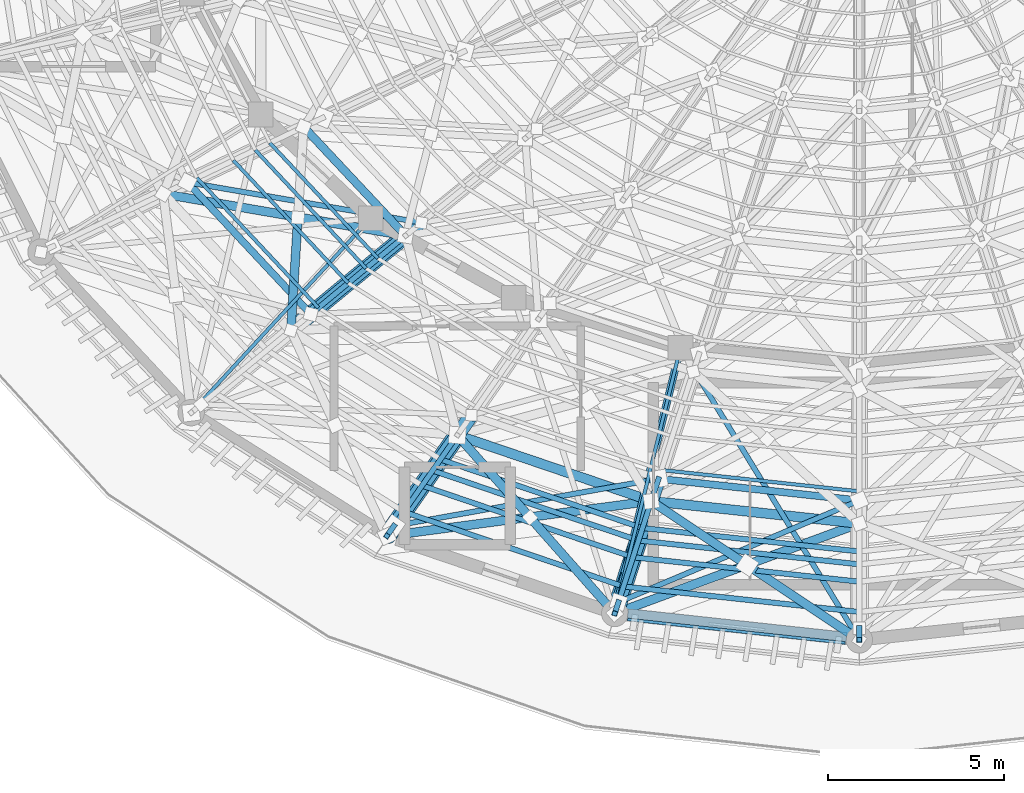
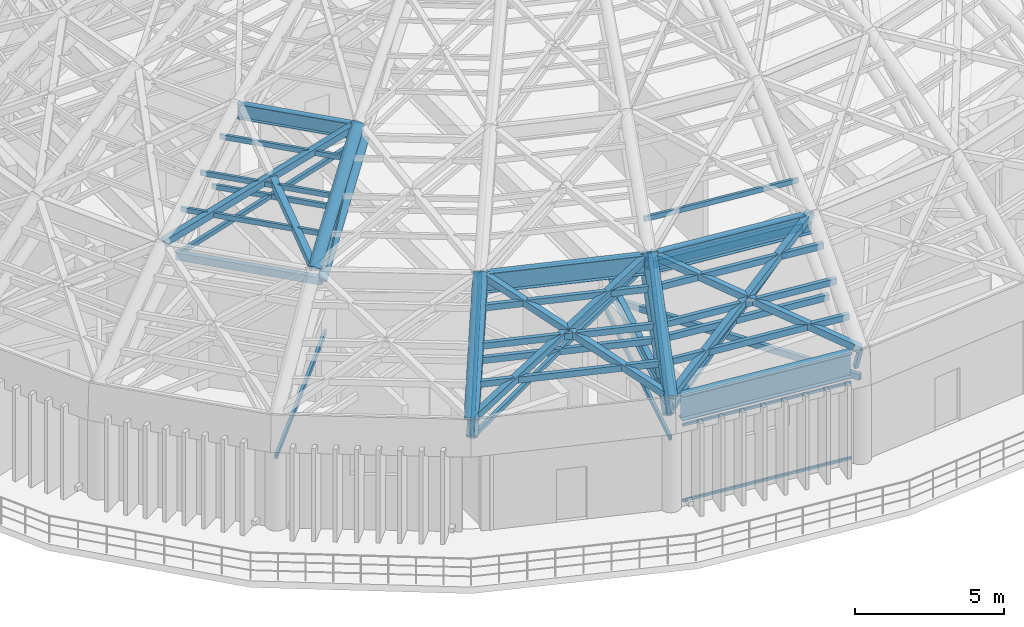
# One storey, part 2 of 50: 44 members, 5 beams.
"""IFC4 building model written with IfcOpenShell, lengths in metres."""

import ifcopenshell
import ifcopenshell.guid

model = None  # the IFC model being written
_history = None  # IfcOwnerHistory: only IFC2X3 demands one
_inside = {}  # id of a spatial element -> (the spatial element, [elements in it])
_under = {}  # id of a project, library or spatial element -> (it, [spatial elements below it])
_declared = {}  # id of a project -> (the project, [libraries it declares])
_typed = {}  # id of a type object -> (the type object, [elements of that type])
_made_of = {}  # id of a material, layer set ... -> (it, [elements and type objects made of it])


def new_model(schema):
    """Start an empty IFC model of exactly this schema.

    Asked for "IFC4X3", IfcOpenShell would pick the latest addendum, in which some entities
    have other attributes; the version numbers below select the first issue.
    IFC2X3 requires an IfcOwnerHistory on every rooted entity: one is made here for all.
    """
    global model, _history
    if schema == "IFC4X3":
        model = ifcopenshell.file(schema_version=(4, 3, 0, 0))
    else:
        model = ifcopenshell.file(schema=schema)
    _inside.clear()
    _under.clear()
    _declared.clear()
    _typed.clear()
    _made_of.clear()
    _history = None
    if model.schema == "IFC2X3":
        org = make("IfcOrganization", Name="unknown")
        user = make(
            "IfcPersonAndOrganization",
            ThePerson=make("IfcPerson", FamilyName="unknown"),
            TheOrganization=org,
        )
        app = make(
            "IfcApplication",
            ApplicationDeveloper=org,
            Version="unknown",
            ApplicationFullName="unknown",
            ApplicationIdentifier="unknown",
        )
        _history = make(
            "IfcOwnerHistory",
            OwningUser=user,
            OwningApplication=app,
            ChangeAction="ADDED",
            CreationDate=0,
        )
    return model


def make(cls, **values):
    """One entity of the class cls with the attributes given. An attribute that is None is left unset."""
    return model.create_entity(
        cls, **{name: value for name, value in values.items() if value is not None}
    )


def rooted(cls, **values):
    """An entity with a GlobalId (a new one), such as an element, a storey or a relation."""
    return make(cls, GlobalId=ifcopenshell.guid.new(), OwnerHistory=_history, **values)


def si_unit(unit_type, name, prefix=None):
    """IfcSIUnit, for example si_unit("LENGTHUNIT", "METRE", prefix="MILLI")."""
    return make("IfcSIUnit", UnitType=unit_type, Prefix=prefix, Name=name)


def assignment(units):
    """IfcUnitAssignment: the units of a project."""
    return None if units is None else make("IfcUnitAssignment", Units=units)


def point(xyz):
    """IfcCartesianPoint."""
    return None if xyz is None else make("IfcCartesianPoint", Coordinates=xyz)


def direction(xyz):
    """IfcDirection."""
    return None if xyz is None else make("IfcDirection", DirectionRatios=xyz)


def frame(location, z_axis=None, x_axis=None):
    """IfcAxis2Placement3D, a coordinate frame: its origin and axes. An axis left out is left unset."""
    return make(
        "IfcAxis2Placement3D",
        Location=point(location),
        Axis=direction(z_axis),
        RefDirection=direction(x_axis),
    )


def frame_2d(location, x_axis=None):
    """IfcAxis2Placement2D, a coordinate frame in the plane: its origin and x axis."""
    return make(
        "IfcAxis2Placement2D", Location=point(location), RefDirection=direction(x_axis)
    )


def origin():
    """The frame at (0, 0, 0) with its axes left unset."""
    return frame((0.0, 0.0, 0.0))


def origin_2d():
    """The frame at (0, 0) in the plane with its x axis left unset."""
    return frame_2d((0.0, 0.0))


def place(relative_to, where):
    """IfcLocalPlacement: puts the frame where relative to a parent placement (None: the world)."""
    return make(
        "IfcLocalPlacement", PlacementRelTo=relative_to, RelativePlacement=where
    )


def context(
    kind, dimensions, precision=None, world=None, true_north=None, identifier=None
):
    """IfcGeometricRepresentationContext, for example the 3D "Model" context."""
    return make(
        "IfcGeometricRepresentationContext",
        ContextIdentifier=identifier,
        ContextType=kind,
        CoordinateSpaceDimension=dimensions,
        Precision=precision,
        WorldCoordinateSystem=world,
        TrueNorth=true_north,
    )


def subcontext(parent, identifier, kind, view, scale=None):
    """IfcGeometricRepresentationSubContext, for example "Body" below "Model"."""
    return make(
        "IfcGeometricRepresentationSubContext",
        ContextIdentifier=identifier,
        ContextType=kind,
        ParentContext=parent,
        TargetScale=scale,
        TargetView=view,
    )


def project(units=None, contexts=None):
    """IfcProject with its units and contexts."""
    return rooted(
        "IfcProject",
        Name="project",
        RepresentationContexts=contexts,
        UnitsInContext=assignment(units),
    )


def spatial(cls, under=None, at=None, **own):
    """A site, building, storey or space (cls), placed at a placement, below another one or the project."""
    s = rooted(cls, ObjectPlacement=at, **own)
    if under is not None:
        _under.setdefault(under.id(), (under, []))[1].append(s)
    return s


def profile(cls, at=None, kind="AREA", **sizes):
    """A parametric profile (cls). Its sizes go by their IFC names, for example OverallWidth=200.0."""
    return make(cls, ProfileType=kind, Position=at, **sizes)


def rectangle(**sizes):
    """IfcRectangleProfileDef."""
    return profile("IfcRectangleProfileDef", **sizes)


def hollow_rectangle(**sizes):
    """IfcRectangleHollowProfileDef."""
    return profile("IfcRectangleHollowProfileDef", **sizes)


def hollow_circle(**sizes):
    """IfcCircleHollowProfileDef."""
    return profile("IfcCircleHollowProfileDef", **sizes)


def i_section(**sizes):
    """IfcIShapeProfileDef."""
    return profile("IfcIShapeProfileDef", **sizes)


def extrude(swept, where, along, depth):
    """IfcExtrudedAreaSolid: the profile swept, set in the frame where, extruded along a direction by depth."""
    return make(
        "IfcExtrudedAreaSolid",
        SweptArea=swept,
        Position=where,
        ExtrudedDirection=direction(along),
        Depth=depth,
    )


def shape(context_of_items, identifier, shape_type, items):
    """IfcShapeRepresentation: the items that make up one representation, for example the "Body"."""
    return make(
        "IfcShapeRepresentation",
        ContextOfItems=context_of_items,
        RepresentationIdentifier=identifier,
        RepresentationType=shape_type,
        Items=items,
    )


def material(Name=None, Category=None):
    """IfcMaterial."""
    return make("IfcMaterial", Name=Name, Category=Category)


def material_profile(
    of_material, cross_section, Name=None, Category=None, Priority=None
):
    """IfcMaterialProfile: a cross section and its material."""
    return make(
        "IfcMaterialProfile",
        Name=Name,
        Material=of_material,
        Profile=cross_section,
        Priority=Priority,
        Category=Category,
    )


def profile_set(profiles, Name=None, composite=None):
    """IfcMaterialProfileSet."""
    return make(
        "IfcMaterialProfileSet",
        Name=Name,
        MaterialProfiles=profiles,
        CompositeProfile=composite,
    )


def made_of(thing, what):
    """Note that an element or type object is made of a material, layer set ...; save() writes the relation."""
    if what is not None:
        _made_of.setdefault(what.id(), (what, []))[1].append(thing)
    return thing


def type_object(cls, material=None, **own):
    """A type object (cls), such as IfcWallType, which elements share."""
    return made_of(rooted(cls, **own), material)


def element(
    cls,
    number,
    at=None,
    inside=None,
    cuts=None,
    type_object=None,
    material=None,
    context=None,
    identifier="Body",
    shape_type=None,
    held_by="IfcProductDefinitionShape",
    body=None,
    shapes=None,
    **own,
):
    """One element of the class cls, such as IfcWall. Its Tag is "e" and its number.

    at: its placement. inside: the storey or other place that contains it. cuts: it is an
    opening in that element (IfcRelVoidsElement). A single representation is given by context,
    identifier, shape_type and body (its items); several are given by shapes. held_by: the class
    of the entity that holds the representations. save() writes the other relations.
    """
    e = rooted(cls, Tag="e%d" % number, ObjectPlacement=at, **own)
    if body is not None:
        shapes = [shape(context, identifier, shape_type, body)]
    if shapes is not None:
        e.Representation = make(held_by, Representations=shapes)
    if inside is not None:
        _inside.setdefault(inside.id(), (inside, []))[1].append(e)
    if cuts is not None:
        rooted(
            "IfcRelVoidsElement", RelatingBuildingElement=cuts, RelatedOpeningElement=e
        )
    if type_object is not None:
        _typed.setdefault(type_object.id(), (type_object, []))[1].append(e)
    return made_of(e, material)


def aggregate(whole, parts):
    """IfcRelAggregates: a whole, such as a stair, and the parts it consists of."""
    return rooted("IfcRelAggregates", RelatingObject=whole, RelatedObjects=parts)


def save(model, path):
    """Write the relations noted so far, then the file.

    IfcRelAggregates (storeys below a building ...), IfcRelContainedInSpatialStructure (elements
    in a storey), IfcRelDefinesByType, IfcRelAssociatesMaterial and IfcRelDeclares: one each for
    every whole, place, type object, material and project.
    """
    for whole, parts in _under.values():
        aggregate(whole, parts)
    for where, things in _inside.values():
        rooted(
            "IfcRelContainedInSpatialStructure",
            RelatedElements=things,
            RelatingStructure=where,
        )
    for kind, things in _typed.values():
        rooted("IfcRelDefinesByType", RelatedObjects=things, RelatingType=kind)
    for what, things in _made_of.values():
        rooted("IfcRelAssociatesMaterial", RelatedObjects=things, RelatingMaterial=what)
    for by, libraries in _declared.values():
        rooted("IfcRelDeclares", RelatingContext=by, RelatedDefinitions=libraries)
    model.write(path)


model = new_model("IFC4")

# Units and contexts
model_context = context("Model", 3, precision=1e-05, world=origin(), true_north=direction((0.0, 1.0)))
body_context = subcontext(model_context, "Body", "Model", "MODEL_VIEW")
ifc_project = project(units=[si_unit("LENGTHUNIT", "METRE"), si_unit("AREAUNIT", "SQUARE_METRE"), si_unit("VOLUMEUNIT", "CUBIC_METRE"), si_unit("PLANEANGLEUNIT", "RADIAN"), si_unit("MASSUNIT", "GRAM", prefix="KILO")], contexts=[model_context])

# Site, building, storey
site_placement = place(None, origin())
site = spatial("IfcSite", under=ifc_project, at=site_placement, CompositionType="ELEMENT")
building_placement = place(site_placement, origin())
building = spatial("IfcBuilding", under=site, at=building_placement, Name="Cinderbank Siding Concert Hall", CompositionType="ELEMENT")
storey_placement = place(building_placement, frame((0.0, 0.0, 23.699951171875)))
storey = spatial("IfcBuildingStorey", under=building, at=storey_placement, Name="L06", CompositionType="ELEMENT", Elevation=23.699951171875)

# Beams
ifc_material_1 = material(Name="Structural steel AS/NZS 3679.1 Grade 350 (340 MPa)", Category="steel")
ifc_material_profile_1 = material_profile(ifc_material_1, i_section(OverallWidth=0.208984375, OverallDepth=0.532958984375, WebThickness=0.01025390625, FlangeThickness=0.015625, at=origin_2d()), Name="530UB92.4", Category="LoadBearing")
ifc_profile_set_1 = profile_set([ifc_material_profile_1], Name="Structural steel AS/NZS 3679.1 Grade 350 (340 MPa)")
beam_type_1 = type_object("IfcBeamType", Name="BM-UB530H 530UB92.4", PredefinedType="BEAM", material=ifc_profile_set_1)
beam_1_placement = place(storey_placement, frame((116.844970703125, 29.951904296875, 4.235595703125), z_axis=(-0.240115631411, -0.970744293598, 0.0), x_axis=(0.970744293598, -0.240115631411, 0.0)))
element("IfcBeam", 1, at=beam_1_placement, inside=storey, type_object=beam_type_1, Name="L06 Beam BM-UB530H #849", PredefinedType="BEAM", context=body_context, shape_type="SweptSolid", body=[
    extrude(i_section(OverallWidth=0.208984375, OverallDepth=0.532958984375, WebThickness=0.01025390625, FlangeThickness=0.015625, at=origin_2d()), origin(), (0.0, 0.0, 1.0), 7.05224609375),
])
ifc_material_profile_2 = material_profile(ifc_material_1, i_section(OverallWidth=0.22900390625, OverallDepth=0.611572265625, WebThickness=0.011962890625, FlangeThickness=0.01953125, at=origin_2d()), Name="610UB125", Category="LoadBearing")
ifc_profile_set_2 = profile_set([ifc_material_profile_2], Name="Structural steel AS/NZS 3679.1 Grade 350 (340 MPa)")
beam_type_2 = type_object("IfcBeamType", Name="BM-UB610H 610UB125", PredefinedType="BEAM", material=ifc_profile_set_2)
beam_2_placement = place(storey_placement, frame((106.23828125, 36.550048828125, 10.994140625), z_axis=(0.683848958016, -0.729623603387, 0.0), x_axis=(0.729623603387, 0.683848958016, 0.0)))
element("IfcBeam", 2, at=beam_2_placement, inside=storey, type_object=beam_type_2, Name="L06 Beam BM-UB610H #2065", PredefinedType="BEAM", context=body_context, shape_type="SweptSolid", body=[
    extrude(i_section(OverallWidth=0.22900390625, OverallDepth=0.611572265625, WebThickness=0.011962890625, FlangeThickness=0.01953125, at=origin_2d()), origin(), (0.0, 0.0, 1.0), 4.2294921875),
])
ifc_material_2 = material(Name="Structural steel welded plate section AS/NZS 3679.2 / AS/NZS 3678 Grade 350 (340 MPa)", Category="steel")
ifc_material_profile_3 = material_profile(ifc_material_2, i_section(OverallWidth=0.35009765625, OverallDepth=1.0, WebThickness=0.013916015625, FlangeThickness=0.02490234375, at=origin_2d()), Name="1000WB258", Category="LoadBearing")
ifc_profile_set_3 = profile_set([ifc_material_profile_3], Name="Structural steel welded plate section AS/NZS 3679.2 / AS/NZS 3678 Grade 350 (340 MPa)")
beam_type_3 = type_object("IfcBeamType", Name="BM-WB1000 1000WB258", PredefinedType="BEAM", material=ifc_profile_set_3)
beam_3_placement = place(storey_placement, frame((115.428466796875, 22.710205078125, 4.0), z_axis=(0.994208402861, -0.107469305761, 0.0), x_axis=(0.107469305761, 0.994208402861, 0.0)))
element("IfcBeam", 3, at=beam_3_placement, inside=storey, type_object=beam_type_3, Name="L06 Beam BM-WB1000 #832", PredefinedType="BEAM", context=body_context, shape_type="SweptSolid", body=[
    extrude(i_section(OverallWidth=0.35009765625, OverallDepth=1.0, WebThickness=0.013916015625, FlangeThickness=0.02490234375, at=origin_2d()), origin(), (0.0, 0.0, 1.0), 6.24267578125),
])
ifc_material_profile_4 = material_profile(ifc_material_2, i_section(OverallWidth=0.27490234375, OverallDepth=0.800048828125, WebThickness=0.010009765625, FlangeThickness=0.01611328125, at=origin_2d()), Name="800WB146", Category="LoadBearing")
ifc_profile_set_4 = profile_set([ifc_material_profile_4], Name="Structural steel welded plate section AS/NZS 3679.2 / AS/NZS 3678 Grade 350 (340 MPa)")
beam_type_4 = type_object("IfcBeamType", Name="BM-WB800 800WB146", PredefinedType="BEAM", material=ifc_profile_set_4)
beam_4_placement = place(storey_placement, frame((110.60009765625, 27.805419921875, 7.699951171875), z_axis=(0.946847286492, -0.32168340968, 0.0), x_axis=(0.32168340968, 0.946847286492, 0.0)))
element("IfcBeam", 4, at=beam_4_placement, inside=storey, type_object=beam_type_4, Name="L06 Beam BM-WB800 #2049", PredefinedType="BEAM", context=body_context, shape_type="SweptSolid", body=[
    extrude(i_section(OverallWidth=0.27490234375, OverallDepth=0.800048828125, WebThickness=0.010009765625, FlangeThickness=0.01611328125, at=origin_2d()), origin(), (0.0, 0.0, 1.0), 5.807373046875),
])
beam_5_placement = place(storey_placement, frame((116.098876953125, 25.937255859375, 7.699951171875), z_axis=(0.99422058231, -0.107356572745, 0.0), x_axis=(0.107356572745, 0.99422058231, 0.0)))
element("IfcBeam", 5, at=beam_5_placement, inside=storey, type_object=beam_type_4, Name="L06 Beam BM-WB800 #2050", PredefinedType="BEAM", context=body_context, shape_type="SweptSolid", body=[
    extrude(i_section(OverallWidth=0.27490234375, OverallDepth=0.800048828125, WebThickness=0.010009765625, FlangeThickness=0.01611328125, at=origin_2d()), origin(), (0.0, 0.0, 1.0), 5.935546875),
])

# Members
ifc_material_3 = material(Name="Structural steel hollow section AS/NZS 1163 Grade C350L0 (350 MPa)", Category="steel")
ifc_material_profile_5 = material_profile(ifc_material_3, hollow_rectangle(XDim=0.14990234375, YDim=0.14990234375, WallThickness=0.008056640625, at=origin_2d()), Name="150x150x8.0SHS", Category="LoadBearing")
ifc_profile_set_5 = profile_set([ifc_material_profile_5], Name="Structural steel hollow section AS/NZS 1163 Grade C350L0 (350 MPa)")
member_type_1 = type_object("IfcMemberType", Name="BR-SHS150 150x150x8.0SHS Roof Truss", PredefinedType="BRACE", material=ifc_profile_set_5)
member_1_placement = place(storey_placement, frame((108.801025390625, 25.233154296875, 3.550048828125), z_axis=(0.325461221953, 0.465335789726, 0.823126719166), x_axis=(-0.819458401661, 0.573138663804, 0.0)))
element("IfcMember", 6, at=member_1_placement, inside=storey, type_object=member_type_1, Name="L06 Diagonal Brace BR-SHS150 #DWBD-BR-SHS150-L06-0722", PredefinedType="BRACE", context=body_context, shape_type="SweptSolid", body=[
    extrude(hollow_rectangle(XDim=0.14990234375, YDim=0.14990234375, WallThickness=0.008056640625, at=origin_2d()), origin(), (0.0, 0.0, 1.0), 5.52783203125),
])
member_2_placement = place(storey_placement, frame((108.801025390625, 25.233154296875, 3.550048828125), z_axis=(-0.198523096984, -0.28222603095, 0.938582467031), x_axis=(0.817916075625, -0.575337547213, 0.0)))
element("IfcMember", 7, at=member_2_placement, inside=storey, type_object=member_type_1, Name="L06 Diagonal Brace BR-SHS150 #DWBV-BR-SHS150-L06-0725", PredefinedType="BRACE", context=body_context, shape_type="SweptSolid", body=[
    extrude(hollow_rectangle(XDim=0.14990234375, YDim=0.14990234375, WallThickness=0.008056640625, at=origin_2d()), origin(), (0.0, 0.0, 1.0), 1.01220703125),
])
member_3_placement = place(storey_placement, frame((108.801025390625, 25.233154296875, 3.550048828125), z_axis=(0.890219039627, 0.158506370092, 0.42706649614), x_axis=(-0.175296201555, 0.984515739702, 0.0)))
element("IfcMember", 8, at=member_3_placement, inside=storey, type_object=member_type_1, Name="L06 Diagonal Brace BR-SHS150 #DBRI-BR-SHS150-L06-0731", PredefinedType="BRACE", context=body_context, shape_type="SweptSolid", body=[
    extrude(hollow_rectangle(XDim=0.14990234375, YDim=0.14990234375, WallThickness=0.008056640625, at=origin_2d()), origin(), (0.0, 0.0, 1.0), 8.429931640625),
])
member_4_placement = place(storey_placement, frame((115.167724609375, 23.068359375, 3.550048828125), z_axis=(0.170572320139, 0.525536270045, 0.83349667814), x_axis=(-0.951154746371, 0.30871450963, 0.0)))
element("IfcMember", 9, at=member_4_placement, inside=storey, type_object=member_type_1, Name="L06 Diagonal Brace BR-SHS150 #DWBD-BR-SHS150-L06-0734", PredefinedType="BRACE", context=body_context, shape_type="SweptSolid", body=[
    extrude(hollow_rectangle(XDim=0.14990234375, YDim=0.14990234375, WallThickness=0.008056640625, at=origin_2d()), origin(), (0.0, 0.0, 1.0), 5.458984375),
])
member_5_placement = place(storey_placement, frame((115.167724609375, 23.068359375, 3.550048828125), z_axis=(-0.103238246716, -0.316500352609, 0.94295778867), x_axis=(0.950701849516, -0.310106422583, 0.0)))
element("IfcMember", 10, at=member_5_placement, inside=storey, type_object=member_type_1, Name="L06 Diagonal Brace BR-SHS150 #DWBV-BR-SHS150-L06-0737", PredefinedType="BRACE", context=body_context, shape_type="SweptSolid", body=[
    extrude(hollow_rectangle(XDim=0.14990234375, YDim=0.14990234375, WallThickness=0.008056640625, at=origin_2d()), origin(), (0.0, 0.0, 1.0), 1.00732421875),
])
member_6_placement = place(storey_placement, frame((115.167724609375, 23.068359375, 3.550048828125), z_axis=(0.828711720214, 0.350081470658, 0.436669037923), x_axis=(-0.389142753647, 0.921177462427, 0.0)))
element("IfcMember", 11, at=member_6_placement, inside=storey, type_object=member_type_1, Name="L06 Diagonal Brace BR-SHS150 #DBRI-BR-SHS150-L06-0743", PredefinedType="BRACE", context=body_context, shape_type="SweptSolid", body=[
    extrude(hollow_rectangle(XDim=0.14990234375, YDim=0.14990234375, WallThickness=0.008056640625, at=origin_2d()), origin(), (0.0, 0.0, 1.0), 8.244384765625),
])
member_7_placement = place(storey_placement, frame((122.0, 22.330078125, 3.550048828125), z_axis=(0.0, -0.328219300306, 0.9446015514), x_axis=(1.0, 0.0, 0.0)))
element("IfcMember", 12, at=member_7_placement, inside=storey, type_object=member_type_1, Name="L06 Diagonal Brace BR-SHS150 #DWBV-BR-SHS150-L06-0749", PredefinedType="BRACE", context=body_context, shape_type="SweptSolid", body=[
    extrude(hollow_rectangle(XDim=0.14990234375, YDim=0.14990234375, WallThickness=0.008056640625, at=origin_2d()), origin(), (0.0, 0.0, 1.0), 1.005615234375),
])
member_8_placement = place(storey_placement, frame((102.94580078125, 34.977294921875, 7.150146484375), z_axis=(0.89005157631, -0.153494434401, 0.42924078338), x_axis=(0.169946985741, 0.985453206417, 0.0)))
element("IfcMember", 13, at=member_8_placement, inside=storey, type_object=member_type_1, Name="L06 Diagonal Brace BR-SHS150 #DBRI-BR-SHS150-L06-0995", PredefinedType="BRACE", context=body_context, shape_type="SweptSolid", body=[
    extrude(hollow_rectangle(XDim=0.14990234375, YDim=0.14990234375, WallThickness=0.008056640625, at=origin_2d()), origin(), (0.0, 0.0, 1.0), 7.454833984375),
])
member_9_placement = place(storey_placement, frame((106.442138671875, 31.239990234375, 7.150146484375), z_axis=(0.495860875676, 0.410215453815, 0.765405300103), x_axis=(-0.637427368277, 0.770510447801, 0.0)))
element("IfcMember", 14, at=member_9_placement, inside=storey, type_object=member_type_1, Name="L06 Diagonal Brace BR-SHS150 #DWBD-BR-SHS150-L06-0998", PredefinedType="BRACE", context=body_context, shape_type="SweptSolid", body=[
    extrude(hollow_rectangle(XDim=0.14990234375, YDim=0.14990234375, WallThickness=0.008056640625, at=origin_2d()), origin(), (0.0, 0.0, 1.0), 5.421875),
])
member_10_placement = place(storey_placement, frame((116.305419921875, 26.5693359375, 7.150146484375), z_axis=(-0.178120981918, -0.545100735444, 0.819230189885), x_axis=(0.950539108206, -0.310604899785, 0.0)))
element("IfcMember", 15, at=member_10_placement, inside=storey, type_object=member_type_1, Name="L06 Diagonal Brace BR-SHS150 #DWBV-BR-SHS150-L06-1025", PredefinedType="BRACE", context=body_context, shape_type="SweptSolid", body=[
    extrude(hollow_rectangle(XDim=0.14990234375, YDim=0.14990234375, WallThickness=0.008056640625, at=origin_2d()), origin(), (0.0, 0.0, 1.0), 1.15966796875),
])
ifc_material_profile_6 = material_profile(ifc_material_3, hollow_rectangle(XDim=0.25, YDim=0.25, WallThickness=0.010009765625, at=origin_2d()), Name="250x250x10.0SHS", Category="LoadBearing")
ifc_profile_set_6 = profile_set([ifc_material_profile_6], Name="Structural steel hollow section AS/NZS 1163 Grade C350L0 (350 MPa)")
member_type_2 = type_object("IfcMemberType", Name="BR-SHS250 250x250x10.0SHS Roof Truss", PredefinedType="BRACE", material=ifc_profile_set_6)
member_11_placement = place(storey_placement, frame((108.60009765625, 24.947509765625, 4.5), z_axis=(0.895176496431, 0.11815222258, 0.429766323177), x_axis=(-0.130852773673, 0.991401811387, 0.0)))
element("IfcMember", 16, at=member_11_placement, inside=storey, type_object=member_type_2, Name="L06 Diagonal Brace BR-SHS250 #DBRO-BR-SHS250-L06-0729", PredefinedType="BRACE", context=body_context, shape_type="SweptSolid", body=[
    extrude(hollow_rectangle(XDim=0.25, YDim=0.25, WallThickness=0.010009765625, at=origin_2d()), origin(), (0.0, 0.0, 1.0), 8.376953125),
])
member_12_placement = place(storey_placement, frame((115.063720703125, 22.74951171875, 4.5), z_axis=(-0.58389510342, 0.661293083102, 0.470911845724), x_axis=(-0.749612186488, -0.661877307262, 0.0)))
element("IfcMember", 17, at=member_12_placement, inside=storey, type_object=member_type_2, Name="L06 Diagonal Brace BR-SHS250 #DBRO-BR-SHS250-L06-0730", PredefinedType="BRACE", context=body_context, shape_type="SweptSolid", body=[
    extrude(hollow_rectangle(XDim=0.25, YDim=0.25, WallThickness=0.010009765625, at=origin_2d()), origin(), (0.0, 0.0, 1.0), 4.116455078125),
])
member_13_placement = place(storey_placement, frame((112.642578125, 25.49169921875, 6.45263671875), z_axis=(-0.583824277491, 0.661355806572, 0.470911573573), x_axis=(-0.749683163545, -0.661796913181, 0.0)))
element("IfcMember", 18, at=member_13_placement, inside=storey, type_object=member_type_2, Name="L06 Diagonal Brace BR-SHS250 #DBRO-BR-SHS250-L06-0730-S73", PredefinedType="BRACE", context=body_context, shape_type="SweptSolid", body=[
    extrude(hollow_rectangle(XDim=0.25, YDim=0.25, WallThickness=0.010009765625, at=origin_2d()), origin(), (0.0, 0.0, 1.0), 3.49853515625),
])
member_14_placement = place(storey_placement, frame((115.063720703125, 22.74951171875, 4.5), z_axis=(0.843770201736, 0.310262479235, 0.437937256513), x_axis=(-0.345117427797, 0.938559513846, 0.0)))
element("IfcMember", 19, at=member_14_placement, inside=storey, type_object=member_type_2, Name="L06 Diagonal Brace BR-SHS250 #DBRO-BR-SHS250-L06-0741", PredefinedType="BRACE", context=body_context, shape_type="SweptSolid", body=[
    extrude(hollow_rectangle(XDim=0.25, YDim=0.25, WallThickness=0.010009765625, at=origin_2d()), origin(), (0.0, 0.0, 1.0), 8.220458984375),
])
member_15_placement = place(storey_placement, frame((122.0, 22.0, 4.5), z_axis=(-0.741784304808, 0.494940830039, 0.452536871316), x_axis=(-0.555024637853, -0.831833908528, 0.0)))
element("IfcMember", 20, at=member_15_placement, inside=storey, type_object=member_type_2, Name="L06 Diagonal Brace BR-SHS250 #DBRO-BR-SHS250-L06-0742", PredefinedType="BRACE", context=body_context, shape_type="SweptSolid", body=[
    extrude(hollow_rectangle(XDim=0.25, YDim=0.25, WallThickness=0.010009765625, at=origin_2d()), origin(), (0.0, 0.0, 1.0), 4.28369140625),
])
member_16_placement = place(storey_placement, frame((118.80029296875, 24.135009765625, 6.4521484375), z_axis=(-0.741814873648, 0.494900804091, 0.452530537472), x_axis=(-0.554977752544, -0.831865189908, 0.0)))
element("IfcMember", 21, at=member_16_placement, inside=storey, type_object=member_type_2, Name="L06 Diagonal Brace BR-SHS250 #DBRO-BR-SHS250-L06-0742-S74", PredefinedType="BRACE", context=body_context, shape_type="SweptSolid", body=[
    extrude(hollow_rectangle(XDim=0.25, YDim=0.25, WallThickness=0.010009765625, at=origin_2d()), origin(), (0.0, 0.0, 1.0), 3.6416015625),
])
member_17_placement = place(storey_placement, frame((102.254638671875, 34.64990234375, 8.10009765625), z_axis=(0.895746615899, -0.154475263223, 0.416863758507), x_axis=(0.169945582962, 0.985453448333, 0.0)))
element("IfcMember", 22, at=member_17_placement, inside=storey, type_object=member_type_2, Name="L06 Diagonal Brace BR-SHS250 #DBRO-BR-SHS250-L06-0993", PredefinedType="BRACE", context=body_context, shape_type="SweptSolid", body=[
    extrude(hollow_rectangle(XDim=0.25, YDim=0.25, WallThickness=0.010009765625, at=origin_2d()), origin(), (0.0, 0.0, 1.0), 7.67626953125),
])
member_18_placement = place(storey_placement, frame((105.8779296875, 30.777099609375, 8.10009765625), z_axis=(0.054508863619, 0.873341279453, 0.484049370819), x_axis=(-0.99805790849, 0.06229294744, 0.0)))
element("IfcMember", 23, at=member_18_placement, inside=storey, type_object=member_type_2, Name="L06 Diagonal Brace BR-SHS250 #DBRO-BR-SHS250-L06-0994", PredefinedType="BRACE", context=body_context, shape_type="SweptSolid", body=[
    extrude(hollow_rectangle(XDim=0.25, YDim=0.25, WallThickness=0.010009765625, at=origin_2d()), origin(), (0.0, 0.0, 1.0), 3.663818359375),
])
ifc_material_profile_7 = material_profile(ifc_material_3, hollow_circle(Radius=0.177734375, WallThickness=0.0126953125, at=origin_2d()), Name="355.6x12.7CHS", Category="LoadBearing")
ifc_profile_set_7 = profile_set([ifc_material_profile_7], Name="Structural steel hollow section AS/NZS 1163 Grade C350L0 (350 MPa)")
member_type_3 = type_object("IfcMemberType", Name="DR-CHS355 355.6x12.7CHS Roof Truss", PredefinedType="RAFTER", material=ifc_profile_set_7)
member_19_placement = place(storey_placement, frame((106.442138671875, 31.239990234375, 7.150146484375), z_axis=(0.606151109614, 0.500733525333, 0.61793751215), x_axis=(-0.636881446996, 0.770961751627, 0.0)))
element("IfcMember", 24, at=member_19_placement, inside=storey, type_object=member_type_3, Name="L06 Roof Truss Member DR-CHS355 #997", PredefinedType="RAFTER", context=body_context, shape_type="SweptSolid", body=[
    extrude(hollow_circle(Radius=0.177734375, WallThickness=0.0126953125, at=origin_2d()), origin(), (0.0, 0.0, 1.0), 5.178466796875),
])
ifc_material_profile_8 = material_profile(ifc_material_3, hollow_circle(Radius=0.203125, WallThickness=0.01611328125, at=origin_2d()), Name="406.4x16.0CHS", Category="LoadBearing")
ifc_profile_set_8 = profile_set([ifc_material_profile_8], Name="Structural steel hollow section AS/NZS 1163 Grade C350L0 (350 MPa)")
member_type_4 = type_object("IfcMemberType", Name="DR-CHS406 406.4x16.0CHS Roof Truss", PredefinedType="RAFTER", material=ifc_profile_set_8)
member_20_placement = place(storey_placement, frame((108.801025390625, 25.233154296875, 3.550048828125), z_axis=(0.418043448824, 0.596999291517, 0.684712728685), x_axis=(-0.819139121864, 0.573594891043, 0.0)))
element("IfcMember", 25, at=member_20_placement, inside=storey, type_object=member_type_4, Name="L06 Roof Truss Member DR-CHS406 #721", PredefinedType="RAFTER", context=body_context, shape_type="SweptSolid", body=[
    extrude(hollow_circle(Radius=0.203125, WallThickness=0.01611328125, at=origin_2d()), origin(), (0.0, 0.0, 1.0), 5.2578125),
])
member_21_placement = place(storey_placement, frame((115.167724609375, 23.068359375, 3.550048828125), z_axis=(0.220955908226, 0.679937279819, 0.699187944785), x_axis=(-0.95104381584, 0.309056079624, 0.0)))
element("IfcMember", 26, at=member_21_placement, inside=storey, type_object=member_type_4, Name="L06 Roof Truss Member DR-CHS406 #733", PredefinedType="RAFTER", context=body_context, shape_type="SweptSolid", body=[
    extrude(hollow_circle(Radius=0.203125, WallThickness=0.01611328125, at=origin_2d()), origin(), (0.0, 0.0, 1.0), 5.14892578125),
])
ifc_material_profile_9 = material_profile(ifc_material_3, hollow_circle(Radius=0.228515625, WallThickness=0.01611328125, at=origin_2d()), Name="457.0x16.0CHS", Category="LoadBearing")
ifc_profile_set_9 = profile_set([ifc_material_profile_9], Name="Structural steel hollow section AS/NZS 1163 Grade C350L0 (350 MPa)")
member_type_5 = type_object("IfcMemberType", Name="DR-CHS457 457.0x16.0CHS Roof Truss", PredefinedType="RAFTER", material=ifc_profile_set_9)
member_22_placement = place(storey_placement, frame((105.8779296875, 30.777099609375, 8.10009765625), z_axis=(0.6142646629, 0.507438030464, 0.604305857287), x_axis=(-0.636882942431, 0.770960516265, 0.0)))
element("IfcMember", 27, at=member_22_placement, inside=storey, type_object=member_type_5, Name="L06 Roof Truss Member DR-CHS457 #996", PredefinedType="RAFTER", context=body_context, shape_type="SweptSolid", body=[
    extrude(hollow_circle(Radius=0.228515625, WallThickness=0.01611328125, at=origin_2d()), origin(), (0.0, 0.0, 1.0), 5.295166015625),
])
ifc_material_profile_10 = material_profile(ifc_material_3, hollow_circle(Radius=0.25390625, WallThickness=0.01611328125, at=origin_2d()), Name="508.0x16.0CHS", Category="LoadBearing")
ifc_profile_set_10 = profile_set([ifc_material_profile_10], Name="Structural steel hollow section AS/NZS 1163 Grade C350L0 (350 MPa)")
member_type_6 = type_object("IfcMemberType", Name="DR-CHS508 508.0x16.0CHS Roof Truss", PredefinedType="RAFTER", material=ifc_profile_set_10)
member_23_placement = place(storey_placement, frame((108.60009765625, 24.947509765625, 4.5), z_axis=(0.398977108308, 0.570120364972, 0.718178276259), x_axis=(-0.819304252775, 0.573358998696, 0.0)))
element("IfcMember", 28, at=member_23_placement, inside=storey, type_object=member_type_6, Name="L06 Roof Truss Member DR-CHS508 #720", PredefinedType="RAFTER", context=body_context, shape_type="SweptSolid", body=[
    extrude(hollow_circle(Radius=0.25390625, WallThickness=0.01611328125, at=origin_2d()), origin(), (0.0, 0.0, 1.0), 5.012939453125),
])
member_24_placement = place(storey_placement, frame((115.063720703125, 22.74951171875, 4.5), z_axis=(0.210451677028, 0.64808196862, 0.731915195625), x_axis=(-0.951109518613, 0.308853822388, 0.0)))
element("IfcMember", 29, at=member_24_placement, inside=storey, type_object=member_type_6, Name="L06 Roof Truss Member DR-CHS508 #732", PredefinedType="RAFTER", context=body_context, shape_type="SweptSolid", body=[
    extrude(hollow_circle(Radius=0.25390625, WallThickness=0.01611328125, at=origin_2d()), origin(), (0.0, 0.0, 1.0), 4.918701171875),
])
ifc_material_4 = material(Name="Anodised aluminium alloy 6063-T6", Category="aluminium")
ifc_material_profile_11 = material_profile(ifc_material_4, rectangle(XDim=0.080078125, YDim=0.10009765625, at=origin_2d()), Name="ALU-RAIL-80x100", Category="LoadBearing")
ifc_profile_set_11 = profile_set([ifc_material_profile_11], Name="Anodised aluminium alloy 6063-T6")
member_type_7 = type_object("IfcMemberType", Name="LV-RL1 Carrier Rail 80x100", PredefinedType="STUD", material=ifc_profile_set_11)
for number, where, z_axis, x_axis, name in (
    (30, (115.430908203125, 22.579345703125, 0.219970703125), (0.994211711823, -0.107438689841, 0.0), (0.107438689841, 0.994211711823, 0.0), "L06 Louvre Carrier Rail 18 BOT"),
    (31, (115.430908203125, 22.579345703125, 3.320068359375), (0.994211711823, -0.107438689841, 0.0), (0.107438689841, 0.994211711823, 0.0), "L06 Louvre Carrier Rail 18 TOP"),
):
    element("IfcMember", number, at=place(storey_placement, frame(where, z_axis=z_axis, x_axis=x_axis)), inside=storey, type_object=member_type_7, Name=name, PredefinedType="STUD", context=body_context, shape_type="SweptSolid", body=[
        extrude(rectangle(XDim=0.080078125, YDim=0.10009765625, at=origin_2d()), origin(), (0.0, 0.0, 1.0), 6.19677734375),
    ])
ifc_material_profile_12 = material_profile(ifc_material_3, hollow_rectangle(XDim=0.10009765625, YDim=0.199951171875, WallThickness=0.008056640625, at=origin_2d()), Name="200x100x8.0RHS", Category="LoadBearing")
ifc_profile_set_12 = profile_set([ifc_material_profile_12], Name="Structural steel hollow section AS/NZS 1163 Grade C350L0 (350 MPa)")
member_type_8 = type_object("IfcMemberType", Name="PR-RHS200 200x100x8.0RHS Roof Truss", PredefinedType="PURLIN", material=ifc_profile_set_12)
member_25_placement = place(storey_placement, frame((104.867919921875, 35.89404296875, 8.75), z_axis=(0.683476646555, -0.729972378665, 0.0), x_axis=(0.729972378665, 0.683476646555, 0.0)))
element("IfcMember", 32, at=member_25_placement, inside=storey, type_object=member_type_8, Name="L06 Roof Truss Member PR-RHS200 #988", PredefinedType="PURLIN", context=body_context, shape_type="SweptSolid", body=[
    extrude(hollow_rectangle(XDim=0.10009765625, YDim=0.199951171875, WallThickness=0.008056640625, at=origin_2d()), origin(), (0.0, 0.0, 1.0), 4.599609375),
])
member_26_placement = place(storey_placement, frame((103.210693359375, 35.10595703125, 8.8681640625), z_axis=(0.683350217783, -0.730090733989, 0.0), x_axis=(0.730090733989, 0.683350217783, 0.0)))
element("IfcMember", 33, at=member_26_placement, inside=storey, type_object=member_type_8, Name="L06 Roof Truss Member PR-RHS200 #990", PredefinedType="PURLIN", context=body_context, shape_type="SweptSolid", body=[
    extrude(hollow_rectangle(XDim=0.10009765625, YDim=0.199951171875, WallThickness=0.008056640625, at=origin_2d()), origin(), (0.0, 0.0, 1.0), 5.045654296875),
])
member_27_placement = place(storey_placement, frame((104.246337890625, 35.60009765625, 9.699951171875), z_axis=(0.683498040319, -0.729952346993, 0.0), x_axis=(0.729952346993, 0.683498040319, 0.0)))
element("IfcMember", 34, at=member_27_placement, inside=storey, type_object=member_type_8, Name="L06 Roof Truss Member PR-RHS200 #991", PredefinedType="PURLIN", context=body_context, shape_type="SweptSolid", body=[
    extrude(hollow_rectangle(XDim=0.10009765625, YDim=0.199951171875, WallThickness=0.008056640625, at=origin_2d()), origin(), (0.0, 0.0, 1.0), 4.766845703125),
])
member_28_placement = place(storey_placement, frame((105.2822265625, 36.093994140625, 10.531982421875), z_axis=(0.683662376866, -0.72979843413, 0.0), x_axis=(0.72979843413, 0.683662376866, 0.0)))
element("IfcMember", 35, at=member_28_placement, inside=storey, type_object=member_type_8, Name="L06 Roof Truss Member PR-RHS200 #992", PredefinedType="PURLIN", context=body_context, shape_type="SweptSolid", body=[
    extrude(hollow_rectangle(XDim=0.10009765625, YDim=0.199951171875, WallThickness=0.008056640625, at=origin_2d()), origin(), (0.0, 0.0, 1.0), 4.4873046875),
])
member_29_placement = place(storey_placement, frame((116.384521484375, 26.818115234375, 8.8681640625), z_axis=(0.994223639187, -0.107328259471, 0.0), x_axis=(0.107328259471, 0.994223639187, 0.0)))
element("IfcMember", 36, at=member_29_placement, inside=storey, type_object=member_type_8, Name="L06 Roof Truss Member PR-RHS200 #1026", PredefinedType="PURLIN", context=body_context, shape_type="SweptSolid", body=[
    extrude(hollow_rectangle(XDim=0.10009765625, YDim=0.199951171875, WallThickness=0.008056640625, at=origin_2d()), origin(), (0.0, 0.0, 1.0), 5.648193359375),
])
member_30_placement = place(storey_placement, frame((108.140625, 33.958984375, 2.81005859375), z_axis=(-0.678276049894, -0.734807185689, 0.0), x_axis=(0.734807185689, -0.678276049894, 0.0)))
element("IfcMember", 37, at=member_30_placement, inside=storey, type_object=member_type_8, Name="L06 Roof Truss Member PR-RHS200 #2359", PredefinedType="PURLIN", context=body_context, shape_type="SweptSolid", body=[
    extrude(hollow_rectangle(XDim=0.10009765625, YDim=0.199951171875, WallThickness=0.008056640625, at=origin_2d()), origin(), (0.0, 0.0, 1.0), 7.505859375),
])
member_31_placement = place(storey_placement, frame((116.927001953125, 30.283935546875, 2.81005859375), z_axis=(-0.240070192761, -0.970755531814, 0.0), x_axis=(0.970755531814, -0.240070192761, 0.0)))
element("IfcMember", 38, at=member_31_placement, inside=storey, type_object=member_type_8, Name="L06 Roof Truss Member PR-RHS200 #2362", PredefinedType="PURLIN", context=body_context, shape_type="SweptSolid", body=[
    extrude(hollow_rectangle(XDim=0.10009765625, YDim=0.199951171875, WallThickness=0.008056640625, at=origin_2d()), origin(), (0.0, 0.0, 1.0), 7.761474609375),
])
ifc_material_profile_13 = material_profile(ifc_material_3, hollow_rectangle(XDim=0.14990234375, YDim=0.25, WallThickness=0.009033203125, at=origin_2d()), Name="250x150x9.0RHS", Category="LoadBearing")
ifc_profile_set_13 = profile_set([ifc_material_profile_13], Name="Structural steel hollow section AS/NZS 1163 Grade C350L0 (350 MPa)")
member_type_9 = type_object("IfcMemberType", Name="PR-RHS250 250x150x9.0RHS Roof Truss", PredefinedType="PURLIN", material=ifc_profile_set_13)
member_32_placement = place(storey_placement, frame((109.89990234375, 26.802490234375, 5.35009765625), z_axis=(0.946813534053, -0.321782739958, 0.0), x_axis=(0.321782739958, 0.946813534053, 0.0)))
element("IfcMember", 39, at=member_32_placement, inside=storey, type_object=member_type_9, Name="L06 Roof Truss Member PR-RHS250 #724", PredefinedType="PURLIN", context=body_context, shape_type="SweptSolid", body=[
    extrude(hollow_rectangle(XDim=0.14990234375, YDim=0.25, WallThickness=0.009033203125, at=origin_2d()), origin(), (0.0, 0.0, 1.0), 6.16455078125),
])
member_33_placement = place(storey_placement, frame((109.080078125, 25.63330078125, 5.364013671875), z_axis=(0.94678223989, -0.321874805209, 0.0), x_axis=(0.321874805209, 0.94678223989, 0.0)))
element("IfcMember", 40, at=member_33_placement, inside=storey, type_object=member_type_9, Name="L06 Roof Truss Member PR-RHS250 #726", PredefinedType="PURLIN", context=body_context, shape_type="SweptSolid", body=[
    extrude(hollow_rectangle(XDim=0.14990234375, YDim=0.25, WallThickness=0.009033203125, at=origin_2d()), origin(), (0.0, 0.0, 1.0), 6.582275390625),
])
member_34_placement = place(storey_placement, frame((109.60009765625, 26.376220703125, 6.300048828125), z_axis=(0.9468158454, -0.321775938969, 0.0), x_axis=(0.321775938969, 0.9468158454, 0.0)))
element("IfcMember", 41, at=member_34_placement, inside=storey, type_object=member_type_9, Name="L06 Roof Truss Member PR-RHS250 #727", PredefinedType="PURLIN", context=body_context, shape_type="SweptSolid", body=[
    extrude(hollow_rectangle(XDim=0.14990234375, YDim=0.25, WallThickness=0.009033203125, at=origin_2d()), origin(), (0.0, 0.0, 1.0), 6.317138671875),
])
member_35_placement = place(storey_placement, frame((110.1201171875, 27.119384765625, 7.236083984375), z_axis=(0.946823631867, -0.321753026619, 0.0), x_axis=(0.321753026619, 0.946823631867, 0.0)))
element("IfcMember", 42, at=member_35_placement, inside=storey, type_object=member_type_9, Name="L06 Roof Truss Member PR-RHS250 #728", PredefinedType="PURLIN", context=body_context, shape_type="SweptSolid", body=[
    extrude(hollow_rectangle(XDim=0.14990234375, YDim=0.25, WallThickness=0.009033203125, at=origin_2d()), origin(), (0.0, 0.0, 1.0), 6.052001953125),
])
member_36_placement = place(storey_placement, frame((115.736572265625, 24.81884765625, 5.35009765625), z_axis=(0.994213313541, -0.107423866893, 0.0), x_axis=(0.107423866893, 0.994213313541, 0.0)))
element("IfcMember", 43, at=member_36_placement, inside=storey, type_object=member_type_9, Name="L06 Roof Truss Member PR-RHS250 #736", PredefinedType="PURLIN", context=body_context, shape_type="SweptSolid", body=[
    extrude(hollow_rectangle(XDim=0.14990234375, YDim=0.25, WallThickness=0.009033203125, at=origin_2d()), origin(), (0.0, 0.0, 1.0), 6.2998046875),
])
member_37_placement = place(storey_placement, frame((115.31201171875, 23.5146484375, 5.364013671875), z_axis=(0.994212915868, -0.107427547309, 0.0), x_axis=(0.107427547309, 0.994212915868, 0.0)))
element("IfcMember", 44, at=member_37_placement, inside=storey, type_object=member_type_9, Name="L06 Roof Truss Member PR-RHS250 #738", PredefinedType="PURLIN", context=body_context, shape_type="SweptSolid", body=[
    extrude(hollow_rectangle(XDim=0.14990234375, YDim=0.25, WallThickness=0.009033203125, at=origin_2d()), origin(), (0.0, 0.0, 1.0), 6.726806640625),
])
member_38_placement = place(storey_placement, frame((115.581298828125, 24.343505859375, 6.300048828125), z_axis=(0.994212179536, -0.107434361647, 0.0), x_axis=(0.107434361647, 0.994212179536, 0.0)))
element("IfcMember", 45, at=member_38_placement, inside=storey, type_object=member_type_9, Name="L06 Roof Truss Member PR-RHS250 #739", PredefinedType="PURLIN", context=body_context, shape_type="SweptSolid", body=[
    extrude(hollow_rectangle(XDim=0.14990234375, YDim=0.25, WallThickness=0.009033203125, at=origin_2d()), origin(), (0.0, 0.0, 1.0), 6.4560546875),
])
member_39_placement = place(storey_placement, frame((115.850341796875, 25.172119140625, 7.236083984375), z_axis=(0.994220263343, -0.10735952663, 0.0), x_axis=(0.10735952663, 0.994220263343, 0.0)))
element("IfcMember", 46, at=member_39_placement, inside=storey, type_object=member_type_9, Name="L06 Roof Truss Member PR-RHS250 #740", PredefinedType="PURLIN", context=body_context, shape_type="SweptSolid", body=[
    extrude(hollow_rectangle(XDim=0.14990234375, YDim=0.25, WallThickness=0.009033203125, at=origin_2d()), origin(), (0.0, 0.0, 1.0), 6.185302734375),
])
ifc_material_profile_14 = material_profile(ifc_material_3, hollow_rectangle(XDim=0.199951171875, YDim=0.300048828125, WallThickness=0.010009765625, at=origin_2d()), Name="300x200x10.0RHS", Category="LoadBearing")
ifc_profile_set_14 = profile_set([ifc_material_profile_14], Name="Structural steel hollow section AS/NZS 1163 Grade C350L0 (350 MPa)")
member_type_10 = type_object("IfcMemberType", Name="PR-RHS300 300x200x10.0RHS Roof Truss", PredefinedType="PURLIN", material=ifc_profile_set_14)
member_40_placement = place(storey_placement, frame((102.94580078125, 34.977294921875, 7.150146484375), z_axis=(0.683172721189, -0.730256826755, 0.0), x_axis=(0.730256826755, 0.683172721189, 0.0)))
element("IfcMember", 47, at=member_40_placement, inside=storey, type_object=member_type_10, Name="L06 Roof Truss Member PR-RHS300 #699", PredefinedType="PURLIN", context=body_context, shape_type="SweptSolid", body=[
    extrude(hollow_rectangle(XDim=0.199951171875, YDim=0.300048828125, WallThickness=0.010009765625, at=origin_2d()), origin(), (0.0, 0.0, 1.0), 5.11767578125),
])
member_41_placement = place(storey_placement, frame((116.305419921875, 26.5693359375, 7.150146484375), z_axis=(0.994223531809, -0.107329254152, 0.0), x_axis=(0.107329254152, 0.994223531809, 0.0)))
element("IfcMember", 48, at=member_41_placement, inside=storey, type_object=member_type_10, Name="L06 Roof Truss Member PR-RHS300 #735", PredefinedType="PURLIN", context=body_context, shape_type="SweptSolid", body=[
    extrude(hollow_rectangle(XDim=0.199951171875, YDim=0.300048828125, WallThickness=0.010009765625, at=origin_2d()), origin(), (0.0, 0.0, 1.0), 5.727783203125),
])
ifc_material_profile_15 = material_profile(ifc_material_3, hollow_rectangle(XDim=0.14990234375, YDim=0.25, WallThickness=0.009033203125, at=origin_2d()), Name="250x150x9.0RHS", Category="LoadBearing")
ifc_profile_set_15 = profile_set([ifc_material_profile_15], Name="Structural steel hollow section AS/NZS 1163 Grade C350L0 (350 MPa)")
member_type_11 = type_object("IfcMemberType", Name="TR-RHS250 250x150x9.0RHS Roof Truss", PredefinedType="RAFTER", material=ifc_profile_set_15)
member_42_placement = place(storey_placement, frame((116.927001953125, 30.283935546875, 3.35009765625), z_axis=(0.522243768439, -0.852796251356, 0.0), x_axis=(0.852796251356, 0.522243768439, 0.0)))
element("IfcMember", 49, at=member_42_placement, inside=storey, type_object=member_type_11, Name="L06 Roof Truss Member TR-RHS250 #2361", PredefinedType="RAFTER", context=body_context, shape_type="SweptSolid", body=[
    extrude(hollow_rectangle(XDim=0.14990234375, YDim=0.25, WallThickness=0.009033203125, at=origin_2d()), origin(), (0.0, 0.0, 1.0), 9.7138671875),
])

save(model, "model.ifc")
